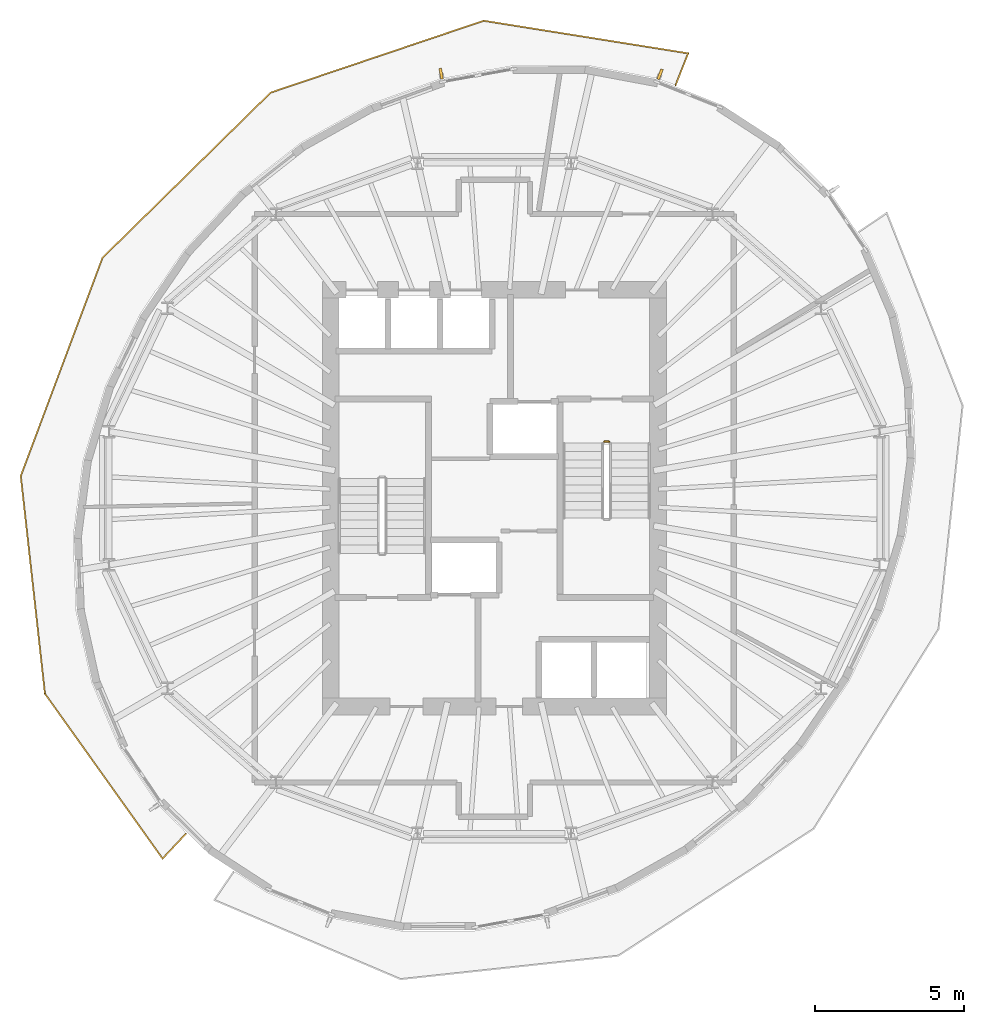
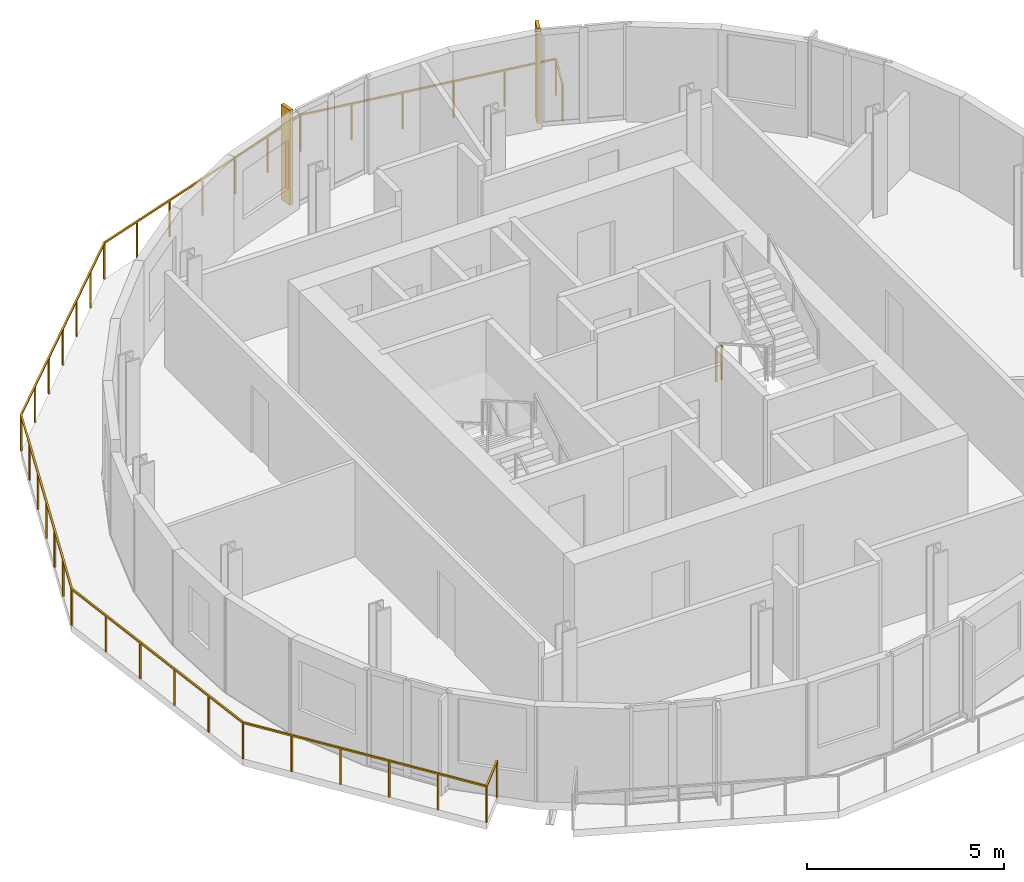
# One storey, part 8 of 9: 2 railings, 2 shading devices.
"""IFC4 building model written with IfcOpenShell, lengths in metres."""

from ifc_helpers import new_model, si_unit, direction, frame, origin, origin_2d, place, context, subcontext, project, spatial, rectangle, extrude, material, layer, layer_set, type_object, element, save


model = new_model("IFC4")

# Units and contexts
model_context = context("Model", 3, precision=1e-05, world=origin(), true_north=direction((0.0, 1.0)))
body_context = subcontext(model_context, "Body", "Model", "MODEL_VIEW")
ifc_project = project(units=[si_unit("LENGTHUNIT", "METRE"), si_unit("AREAUNIT", "SQUARE_METRE"), si_unit("VOLUMEUNIT", "CUBIC_METRE"), si_unit("PLANEANGLEUNIT", "RADIAN"), si_unit("MASSUNIT", "GRAM", prefix="KILO")], contexts=[model_context])

# Site, building, storey
site_placement = place(None, origin())
site = spatial("IfcSite", under=ifc_project, at=site_placement, CompositionType="ELEMENT")
building_placement = place(site_placement, origin())
building = spatial("IfcBuilding", under=site, at=building_placement, Name="Veldorim Arch Residences", CompositionType="ELEMENT")
storey_placement = place(building_placement, frame((0.0, 0.0, 204.639892578125)))
storey = spatial("IfcBuildingStorey", under=building, at=storey_placement, Name="L61", CompositionType="ELEMENT", Elevation=204.639892578125)

# Railings
ifc_material_1 = material(Name="Aluminium", Category="aluminium")
railing_type_1 = type_object("IfcRailingType", Name="Balcony & Terrace Laminated Glass Balustrade 1150", PredefinedType="BALUSTRADE", material=ifc_material_1)
railing_1_placement = place(storey_placement, frame((38.090087890625, 37.878173828125, 0.0)))
element("IfcRailing", 1, at=railing_1_placement, inside=storey, type_object=railing_type_1, Name="L61 crescent balcony safety balustrade A", PredefinedType="BALUSTRADE", context=body_context, shape_type="SweptSolid", body=[
    extrude(rectangle(XDim=0.048095703125, YDim=0.048095703125, at=origin_2d()), frame((0.0, 0.0, 1.1259765625), z_axis=(0.367287376215, 0.930107511674, 0.0), x_axis=(-0.930107511674, 0.367287376215, 0.0)), (0.0, 0.0, 1.0), 1.14990234375),
    extrude(rectangle(XDim=0.048095703125, YDim=0.048095703125, at=origin_2d()), frame((0.42236328125, 1.069580078125, 1.1259765625), z_axis=(-0.98751760405, 0.157508671795, 0.0), x_axis=(-0.157508671795, -0.98751760405, 0.0)), (0.0, 0.0, 1.0), 6.95654296875),
    extrude(rectangle(XDim=0.048095703125, YDim=0.048095703125, at=origin_2d()), frame((-6.447265625, 2.165283203125, 1.1259765625), z_axis=(-0.947556023243, -0.319589710121, 0.0), x_axis=(0.319589710121, -0.947556023243, 0.0)), (0.0, 0.0, 1.0), 7.55517578125),
    extrude(rectangle(XDim=0.048095703125, YDim=0.048095703125, at=origin_2d()), frame((-13.606201171875, -0.249267578125, 1.1259765625), z_axis=(-0.713352654582, -0.700805244131, 0.0), x_axis=(0.700805244131, -0.713352654582, 0.0)), (0.0, 0.0, 1.0), 7.919189453125),
    extrude(rectangle(XDim=0.048095703125, YDim=0.048095703125, at=origin_2d()), frame((-19.25537109375, -5.799072265625, 1.1259765625), z_axis=(-0.350778360167, -0.936458510581, 0.0), x_axis=(0.936458510581, -0.350778360167, 0.0)), (0.0, 0.0, 1.0), 7.831298828125),
    extrude(rectangle(XDim=0.048095703125, YDim=0.048095703125, at=origin_2d()), frame((-22.00244140625, -13.1328125, 1.1259765625), z_axis=(0.110340468925, -0.993893847912, 0.0), x_axis=(0.993893847912, 0.110340468925, 0.0)), (0.0, 0.0, 1.0), 7.35693359375),
    extrude(rectangle(XDim=0.048095703125, YDim=0.048095703125, at=origin_2d()), frame((-21.190673828125, -20.44482421875, 1.1259765625), z_axis=(0.580719136753, -0.814103976289, 0.0), x_axis=(0.814103976289, 0.580719136753, 0.0)), (0.0, 0.0, 1.0), 6.80908203125),
    extrude(rectangle(XDim=0.048095703125, YDim=0.048095703125, at=origin_2d()), frame((-17.236572265625, -25.988037109375, 1.1259765625), z_axis=(0.684025867132, 0.729457752782, 0.0), x_axis=(-0.729457752782, 0.684025867132, 0.0)), (0.0, 0.0, 1.0), 1.14990234375),
    extrude(rectangle(XDim=0.0419921875, YDim=0.0419921875, at=origin_2d()), origin(), (0.0, 0.0, 1.0), 1.101806640625),
    extrude(rectangle(XDim=0.0419921875, YDim=0.0419921875, at=origin_2d()), frame((0.42236328125, 1.069580078125, 0.0)), (0.0, 0.0, 1.0), 1.101806640625),
    extrude(rectangle(XDim=0.0419921875, YDim=0.0419921875, at=origin_2d()), frame((-0.95166015625, 1.288818359375, 0.0)), (0.0, 0.0, 1.0), 1.101806640625),
    extrude(rectangle(XDim=0.0419921875, YDim=0.0419921875, at=origin_2d()), frame((-2.325439453125, 1.5078125, 0.0)), (0.0, 0.0, 1.0), 1.101806640625),
    extrude(rectangle(XDim=0.0419921875, YDim=0.0419921875, at=origin_2d()), frame((-3.699462890625, 1.72705078125, 0.0)), (0.0, 0.0, 1.0), 1.101806640625),
    extrude(rectangle(XDim=0.0419921875, YDim=0.0419921875, at=origin_2d()), frame((-5.0732421875, 1.946044921875, 0.0)), (0.0, 0.0, 1.0), 1.101806640625),
    extrude(rectangle(XDim=0.0419921875, YDim=0.0419921875, at=origin_2d()), frame((-6.447265625, 2.165283203125, 0.0)), (0.0, 0.0, 1.0), 1.101806640625),
    extrude(rectangle(XDim=0.0419921875, YDim=0.0419921875, at=origin_2d()), frame((-7.640380859375, 1.762939453125, 0.0)), (0.0, 0.0, 1.0), 1.101806640625),
    extrude(rectangle(XDim=0.0419921875, YDim=0.0419921875, at=origin_2d()), frame((-8.83349609375, 1.3603515625, 0.0)), (0.0, 0.0, 1.0), 1.101806640625),
    extrude(rectangle(XDim=0.0419921875, YDim=0.0419921875, at=origin_2d()), frame((-10.02685546875, 0.9580078125, 0.0)), (0.0, 0.0, 1.0), 1.101806640625),
    extrude(rectangle(XDim=0.0419921875, YDim=0.0419921875, at=origin_2d()), frame((-11.219970703125, 0.5556640625, 0.0)), (0.0, 0.0, 1.0), 1.101806640625),
    extrude(rectangle(XDim=0.0419921875, YDim=0.0419921875, at=origin_2d()), frame((-12.4130859375, 0.153076171875, 0.0)), (0.0, 0.0, 1.0), 1.101806640625),
    extrude(rectangle(XDim=0.0419921875, YDim=0.0419921875, at=origin_2d()), frame((-13.606201171875, -0.249267578125, 0.0)), (0.0, 0.0, 1.0), 1.101806640625),
    extrude(rectangle(XDim=0.0419921875, YDim=0.0419921875, at=origin_2d()), frame((-14.5478515625, -1.17431640625, 0.0)), (0.0, 0.0, 1.0), 1.101806640625),
    extrude(rectangle(XDim=0.0419921875, YDim=0.0419921875, at=origin_2d()), frame((-15.4892578125, -2.09912109375, 0.0)), (0.0, 0.0, 1.0), 1.101806640625),
    extrude(rectangle(XDim=0.0419921875, YDim=0.0419921875, at=origin_2d()), frame((-16.4306640625, -3.024169921875, 0.0)), (0.0, 0.0, 1.0), 1.101806640625),
    extrude(rectangle(XDim=0.0419921875, YDim=0.0419921875, at=origin_2d()), frame((-17.372314453125, -3.94921875, 0.0)), (0.0, 0.0, 1.0), 1.101806640625),
    extrude(rectangle(XDim=0.0419921875, YDim=0.0419921875, at=origin_2d()), frame((-18.31396484375, -4.8740234375, 0.0)), (0.0, 0.0, 1.0), 1.101806640625),
    extrude(rectangle(XDim=0.0419921875, YDim=0.0419921875, at=origin_2d()), frame((-19.25537109375, -5.799072265625, 0.0)), (0.0, 0.0, 1.0), 1.101806640625),
    extrude(rectangle(XDim=0.0419921875, YDim=0.0419921875, at=origin_2d()), frame((-19.713134765625, -7.021484375, 0.0)), (0.0, 0.0, 1.0), 1.101806640625),
    extrude(rectangle(XDim=0.0419921875, YDim=0.0419921875, at=origin_2d()), frame((-20.171142578125, -8.24365234375, 0.0)), (0.0, 0.0, 1.0), 1.101806640625),
    extrude(rectangle(XDim=0.0419921875, YDim=0.0419921875, at=origin_2d()), frame((-20.62890625, -9.4658203125, 0.0)), (0.0, 0.0, 1.0), 1.101806640625),
    extrude(rectangle(XDim=0.0419921875, YDim=0.0419921875, at=origin_2d()), frame((-21.086669921875, -10.688232421875, 0.0)), (0.0, 0.0, 1.0), 1.101806640625),
    extrude(rectangle(XDim=0.0419921875, YDim=0.0419921875, at=origin_2d()), frame((-21.544677734375, -11.91064453125, 0.0)), (0.0, 0.0, 1.0), 1.101806640625),
    extrude(rectangle(XDim=0.0419921875, YDim=0.0419921875, at=origin_2d()), frame((-22.00244140625, -13.1328125, 0.0)), (0.0, 0.0, 1.0), 1.101806640625),
    extrude(rectangle(XDim=0.0419921875, YDim=0.0419921875, at=origin_2d()), frame((-21.840087890625, -14.59521484375, 0.0)), (0.0, 0.0, 1.0), 1.101806640625),
    extrude(rectangle(XDim=0.0419921875, YDim=0.0419921875, at=origin_2d()), frame((-21.677734375, -16.0576171875, 0.0)), (0.0, 0.0, 1.0), 1.101806640625),
    extrude(rectangle(XDim=0.0419921875, YDim=0.0419921875, at=origin_2d()), frame((-21.515380859375, -17.52001953125, 0.0)), (0.0, 0.0, 1.0), 1.101806640625),
    extrude(rectangle(XDim=0.0419921875, YDim=0.0419921875, at=origin_2d()), frame((-21.35302734375, -18.982421875, 0.0)), (0.0, 0.0, 1.0), 1.101806640625),
    extrude(rectangle(XDim=0.0419921875, YDim=0.0419921875, at=origin_2d()), frame((-21.190673828125, -20.44482421875, 0.0)), (0.0, 0.0, 1.0), 1.101806640625),
    extrude(rectangle(XDim=0.0419921875, YDim=0.0419921875, at=origin_2d()), frame((-20.39990234375, -21.553466796875, 0.0)), (0.0, 0.0, 1.0), 1.101806640625),
    extrude(rectangle(XDim=0.0419921875, YDim=0.0419921875, at=origin_2d()), frame((-19.609130859375, -22.662109375, 0.0)), (0.0, 0.0, 1.0), 1.101806640625),
    extrude(rectangle(XDim=0.0419921875, YDim=0.0419921875, at=origin_2d()), frame((-18.818115234375, -23.770751953125, 0.0)), (0.0, 0.0, 1.0), 1.101806640625),
    extrude(rectangle(XDim=0.0419921875, YDim=0.0419921875, at=origin_2d()), frame((-18.02734375, -24.87939453125, 0.0)), (0.0, 0.0, 1.0), 1.101806640625),
    extrude(rectangle(XDim=0.0419921875, YDim=0.0419921875, at=origin_2d()), frame((-17.236572265625, -25.988037109375, 0.0)), (0.0, 0.0, 1.0), 1.101806640625),
    extrude(rectangle(XDim=0.0419921875, YDim=0.0419921875, at=origin_2d()), frame((-16.449951171875, -25.149169921875, 0.0)), (0.0, 0.0, 1.0), 1.101806640625),
])
ifc_material_2 = material(Name="Steel S355", Category="steel")
railing_type_2 = type_object("IfcRailingType", Name="Galvanised Steel Stair Safety Guardrail 1100", PredefinedType="GUARDRAIL", material=ifc_material_2)
railing_2_placement = place(storey_placement, frame((35.68994140625, 25.89990234375, 0.0)))
element("IfcRailing", 2, at=railing_2_placement, inside=storey, type_object=railing_type_2, Name="L61 ST-2 stair guard 4", PredefinedType="GUARDRAIL", context=body_context, shape_type="SweptSolid", body=[
    extrude(rectangle(XDim=0.048095703125, YDim=0.048095703125, at=origin_2d()), frame((0.0, 0.0, 1.076171875), z_axis=(1.0, 0.0, 0.0), x_axis=(0.0, 1.0, 0.0)), (0.0, 0.0, 1.0), 0.16015625),
    extrude(rectangle(XDim=0.0419921875, YDim=0.0419921875, at=origin_2d()), origin(), (0.0, 0.0, 1.0), 1.052001953125),
    extrude(rectangle(XDim=0.0419921875, YDim=0.0419921875, at=origin_2d()), frame((0.16015625, 0.0, 0.0)), (0.0, 0.0, 1.0), 1.052001953125),
])

# Shading devices
ifc_material_3 = material(Name="Terracotta Ceramic", Category="masonry")
ifc_layer = layer(ifc_material_3, 0.090087890625, Name="Vertical Extruded Terracotta Baguette Sun-Shading Fin")
ifc_layer_set = layer_set([ifc_layer], Name="Terracotta Ceramic")
shading_device_type = type_object("IfcShadingDeviceType", Name="Vertical Extruded Terracotta Baguette Sun-Shading Fin", PredefinedType="USERDEFINED", material=ifc_layer_set)
for number, where, z_axis, x_axis, name in (
    (3, (37.569580078125, 38.244384765625, 0.000244140625), (0.0, 0.0, 1.0), (0.92958360888, -0.36861133203, 0.0), "L61 vertical terracotta sun-shading fin 02"),
    (4, (30.213134765625, 38.26611328125, 0.000244140625), (0.0, 0.0, 1.0), (0.984102751709, 0.177600039637, 0.0), "L61 vertical terracotta sun-shading fin 05"),
):
    element("IfcShadingDevice", number, at=place(storey_placement, frame(where, z_axis=z_axis, x_axis=x_axis)), inside=storey, type_object=shading_device_type, Name=name, ObjectType="FIN", PredefinedType="USERDEFINED", context=body_context, shape_type="SweptSolid", body=[
        extrude(rectangle(XDim=0.090087890625, YDim=0.360107421875, at=origin_2d()), origin(), (0.0, 0.0, 1.0), 2.9599609375),
    ])

save(model, "model.ifc")
